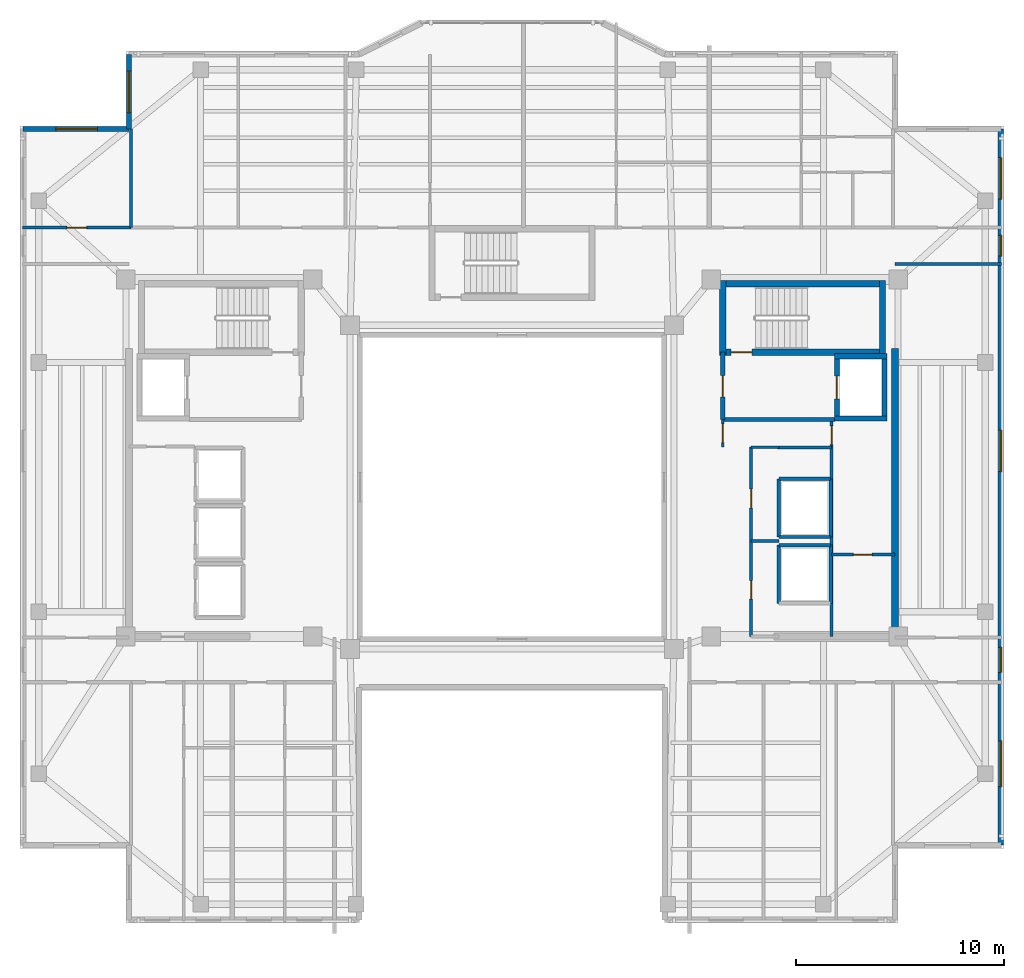
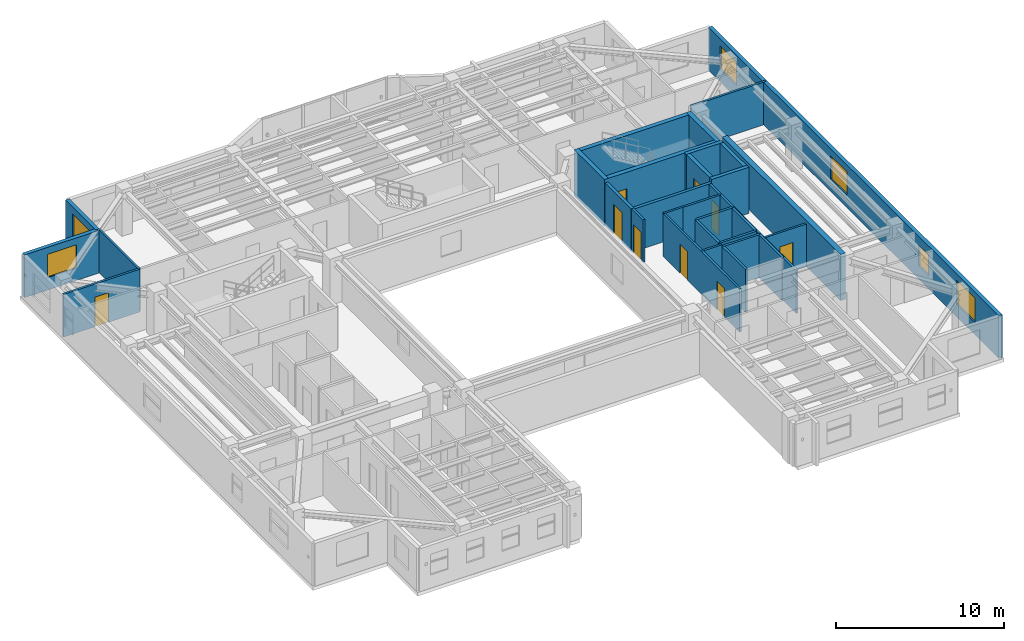
# One storey, part 6 of 11: 31 walls, 9 doors, 7 windows, 16 openings.
"""IFC4 building model written with IfcOpenShell, lengths in metres."""

from ifc_helpers import new_model, si_unit, direction, frame, frame_2d, origin, place, context, subcontext, project, spatial, rectangle, extrude, material, layer, layer_set, type_object, element, fill, save


model = new_model("IFC4")

# Units and contexts
model_context = context("Model", 3, precision=1e-05, world=origin(), true_north=direction((0.0, 1.0)))
body_context = subcontext(model_context, "Body", "Model", "MODEL_VIEW")
ifc_project = project(units=[si_unit("LENGTHUNIT", "METRE"), si_unit("AREAUNIT", "SQUARE_METRE"), si_unit("VOLUMEUNIT", "CUBIC_METRE"), si_unit("PLANEANGLEUNIT", "RADIAN"), si_unit("MASSUNIT", "GRAM", prefix="KILO")], contexts=[model_context])

# Site, building, storey
site_placement = place(None, origin())
site = spatial("IfcSite", under=ifc_project, at=site_placement, CompositionType="ELEMENT")
building_placement = place(site_placement, origin())
building = spatial("IfcBuilding", under=site, at=building_placement, Name="Tarnavaz Court Tower", CompositionType="ELEMENT")
storey_placement = place(building_placement, frame((0.0, 0.0, 217.050048828125)))
storey = spatial("IfcBuildingStorey", under=building, at=storey_placement, Name="L59", CompositionType="ELEMENT", Elevation=217.050048828125)

# Wall, opening, door
ifc_material_1 = material(Name="Concrete C50/60", Category="concrete")
ifc_layer_1 = layer(ifc_material_1, 0.25)
ifc_layer_set_1 = layer_set([ifc_layer_1], Name="Concrete C50/60")
wall_type_1 = type_object("IfcWallType", Name="WL-CORE-250-C50", PredefinedType="SHEAR", material=ifc_layer_set_1)
wall_1_placement = place(storey_placement, frame((15.64990234375, 3.175048828125, 0.0), z_axis=(0.0, 0.0, 1.0), x_axis=(0.0, 1.0, 0.0)))
wall_1 = element("IfcWall", 1, at=wall_1_placement, inside=storey, type_object=wall_type_1, Name="L59 Lift FL-E1 Shaft Wall 033", PredefinedType="SHEAR", context=body_context, shape_type="SweptSolid", body=[
    extrude(rectangle(XDim=3.25, YDim=0.25, at=frame_2d((1.625, 0.0))), origin(), (0.0, 0.0, 1.0), 3.349853515625),
])
opening_1_placement = place(wall_1_placement, frame((1.074951171875, 0.0, 0.0)))
opening_1 = element("IfcOpeningElement", 2, at=opening_1_placement, cuts=wall_1, Name="Opening LD1", PredefinedType="OPENING", context=body_context, shape_type="SweptSolid", body=[
    extrude(rectangle(XDim=1.10009765625, YDim=2.14990234375, at=frame_2d((0.550048828125, 1.074951171875))), frame((0.0, 0.135009765625, 0.0), z_axis=(0.0, -1.0, 0.0), x_axis=(1.0, 0.0, 0.0)), (0.0, 0.0, 1.0), 0.27001953125),
])
ifc_material_2 = material(Name="Stainless Steel", Category="steel")
door_type_1 = type_object("IfcDoorType", Name="DR-LD-1100", OperationType="NOTDEFINED", PredefinedType="DOOR", material=ifc_material_2)
door_1_placement = place(opening_1_placement, origin())
door_1 = element("IfcDoor", 3, at=door_1_placement, inside=storey, type_object=door_type_1, Name="L59 Lift Landing Door LD-FL-E1", OperationType="SLIDING_TO_LEFT", OverallHeight=2.14990234375, OverallWidth=1.10009765625, PredefinedType="DOOR", context=body_context, shape_type="SweptSolid", body=[
    extrude(rectangle(XDim=1.10009765625, YDim=2.14990234375, at=frame_2d((0.550048828125, 1.074951171875))), frame((0.0, 0.02490234375, 0.0), z_axis=(0.0, -1.0, 0.0), x_axis=(1.0, 0.0, 0.0)), (0.0, 0.0, 1.0), 0.050048828125),
])
fill(opening_1, door_1)

# Walls
wall_2_placement = place(storey_placement, frame((17.949951171875, 3.175048828125, 0.0), z_axis=(0.0, 0.0, 1.0), x_axis=(0.0, 1.0, 0.0)))
element("IfcWall", 4, at=wall_2_placement, inside=storey, type_object=wall_type_1, Name="L59 Lift FL-E1 Shaft Wall 034", PredefinedType="SHEAR", context=body_context, shape_type="SweptSolid", body=[
    extrude(rectangle(XDim=3.25, YDim=0.25, at=frame_2d((1.625, 0.0))), origin(), (0.0, 0.0, 1.0), 3.349853515625),
])
for number, where, z_axis, x_axis, name in (
    (5, (15.52490234375, 3.300048828125, 0.0), (0.0, 0.0, 1.0), (1.0, 0.0, 0.0), "L59 Lift FL-E1 Shaft Wall 035"),
    (6, (15.52490234375, 6.300048828125, 0.0), (0.0, 0.0, 1.0), (1.0, 0.0, 0.0), "L59 Lift FL-E1 Shaft Wall 036"),
):
    element("IfcWall", number, at=place(storey_placement, frame(where, z_axis=z_axis, x_axis=x_axis)), inside=storey, type_object=wall_type_1, Name=name, PredefinedType="SHEAR", context=body_context, shape_type="SweptSolid", body=[
        extrude(rectangle(XDim=2.550048828125, YDim=0.25, at=frame_2d((1.27490234375, 0.0))), origin(), (0.0, 0.0, 1.0), 3.349853515625),
    ])
ifc_layer_2 = layer(ifc_material_1, 0.300048828125)
ifc_layer_set_2 = layer_set([ifc_layer_2], Name="Concrete C50/60")
wall_type_2 = type_object("IfcWallType", Name="WL-CORE-300-C50", PredefinedType="SHEAR", material=ifc_layer_set_2)
wall_3_placement = place(storey_placement, frame((10.0, 9.7900390625, 0.0), z_axis=(0.0, 0.0, 1.0), x_axis=(1.0, 0.0, 0.0)))
element("IfcWall", 7, at=wall_3_placement, inside=storey, type_object=wall_type_2, Name="L59 East Stair Core Wall 005", PredefinedType="SHEAR", context=body_context, shape_type="SweptSolid", body=[
    extrude(rectangle(XDim=8.0, YDim=0.300048828125, at=frame_2d((4.0, 0.0))), origin(), (0.0, 0.0, 1.0), 3.349853515625),
])

# Wall, opening, door
wall_4_placement = place(storey_placement, frame((10.0, 6.5, 0.0), z_axis=(0.0, 0.0, 1.0), x_axis=(1.0, 0.0, 0.0)))
wall_4 = element("IfcWall", 8, at=wall_4_placement, inside=storey, type_object=wall_type_2, Name="L59 East Stair Core Wall 006", PredefinedType="SHEAR", context=body_context, shape_type="SweptSolid", body=[
    extrude(rectangle(XDim=8.0, YDim=0.300048828125, at=frame_2d((4.0, 0.0))), origin(), (0.0, 0.0, 1.0), 3.349853515625),
])
opening_2_placement = place(wall_4_placement, frame((0.550048828125, 0.0, 0.0)))
opening_2 = element("IfcOpeningElement", 9, at=opening_2_placement, cuts=wall_4, Name="Opening D01", PredefinedType="OPENING", context=body_context, shape_type="SweptSolid", body=[
    extrude(rectangle(XDim=1.0, YDim=2.14990234375, at=frame_2d((0.5, 1.074951171875))), frame((0.0, 0.159912109375, 0.0), z_axis=(0.0, -1.0, 0.0), x_axis=(1.0, 0.0, 0.0)), (0.0, 0.0, 1.0), 0.320068359375),
])
ifc_material_3 = material(Name="Fire-Rated Hardwood Timber Core", Category="wood")
door_type_2 = type_object("IfcDoorType", Name="DR-FD90-1000", OperationType="NOTDEFINED", PredefinedType="DOOR", material=ifc_material_3)
door_2_placement = place(opening_2_placement, origin())
door_2 = element("IfcDoor", 10, at=door_2_placement, inside=storey, type_object=door_type_2, Name="L59 Stair ST-E1 Exit Door", OperationType="SINGLE_SWING_RIGHT", OverallHeight=2.14990234375, OverallWidth=1.0, PredefinedType="DOOR", context=body_context, shape_type="SweptSolid", body=[
    extrude(rectangle(XDim=1.0, YDim=2.14990234375, at=frame_2d((0.5, 1.074951171875))), frame((0.0, 0.02490234375, 0.0), z_axis=(0.0, -1.0, 0.0), x_axis=(1.0, 0.0, 0.0)), (0.0, 0.0, 1.0), 0.050048828125),
])
fill(opening_2, door_2)

# Walls
for number, where, z_axis, x_axis, name in (
    (11, (10.14990234375, 6.35009765625, 0.0), (0.0, 0.0, 1.0), (0.0, 1.0, 0.0), "L59 East Stair Core Wall 007"),
    (12, (17.85009765625, 6.35009765625, 0.0), (0.0, 0.0, 1.0), (0.0, 1.0, 0.0), "L59 East Stair Core Wall 008"),
):
    element("IfcWall", number, at=place(storey_placement, frame(where, z_axis=z_axis, x_axis=x_axis)), inside=storey, type_object=wall_type_2, Name=name, PredefinedType="SHEAR", context=body_context, shape_type="SweptSolid", body=[
        extrude(rectangle(XDim=3.58984375, YDim=0.300048828125, at=frame_2d((1.794921875, 0.0))), origin(), (0.0, 0.0, 1.0), 3.349853515625),
    ])
ifc_layer_3 = layer(ifc_material_1, 0.35009765625)
ifc_layer_set_3 = layer_set([ifc_layer_3], Name="Concrete C50/60")
wall_type_3 = type_object("IfcWallType", Name="WL-CORE-350-C50", PredefinedType="SHEAR", material=ifc_layer_set_3)
wall_5_placement = place(storey_placement, frame((18.449951171875, -7.375, 0.0), z_axis=(0.0, 0.0, 1.0), x_axis=(0.0, 1.0, 0.0)))
element("IfcWall", 13, at=wall_5_placement, inside=storey, type_object=wall_type_3, Name="L59 East Core Shear Wall 047", PredefinedType="SHEAR", context=body_context, shape_type="SweptSolid", body=[
    extrude(rectangle(XDim=14.050048828125, YDim=0.35009765625, at=frame_2d((7.02490234375, 0.0))), origin(), (0.0, 0.0, 1.0), 3.349853515625),
])

# Wall, opening, window
ifc_material_4 = material(Name="Precast Concrete C40/50", Category="concrete")
ifc_layer_4 = layer(ifc_material_4, 0.260009765625)
ifc_layer_set_4 = layer_set([ifc_layer_4], Name="Precast Concrete C40/50")
wall_type_4 = type_object("IfcWallType", Name="WL-EXT-260", PredefinedType="SOLIDWALL", material=ifc_layer_set_4)
wall_6_placement = place(storey_placement, frame((-23.550048828125, 17.25, 0.0), z_axis=(0.0, 0.0, 1.0), x_axis=(1.0, 0.0, 0.0)))
wall_6 = element("IfcWall", 14, at=wall_6_placement, inside=storey, type_object=wall_type_4, Name="L59 Exterior Terracotta Facade Wall 03", PredefinedType="SOLIDWALL", context=body_context, shape_type="SweptSolid", body=[
    extrude(rectangle(XDim=5.10009765625, YDim=0.260009765625, at=frame_2d((2.550048828125, 0.0))), origin(), (0.0, 0.0, 1.0), 3.099853515625),
])
opening_3_placement = place(wall_6_placement, frame((1.574951171875, 0.0, 0.89990234375)))
opening_3 = element("IfcOpeningElement", 15, at=opening_3_placement, cuts=wall_6, Name="Opening W08", PredefinedType="OPENING", context=body_context, shape_type="SweptSolid", body=[
    extrude(rectangle(XDim=2.0, YDim=1.699951171875, at=frame_2d((1.0, 0.85009765625))), frame((0.0, 0.139892578125, 0.0), z_axis=(0.0, -1.0, 0.0), x_axis=(1.0, 0.0, 0.0)), (0.0, 0.0, 1.0), 0.280029296875),
])
ifc_material_5 = material(Name="Double-Glazed Solar Low-E Glass", Category="glass")
window_type_1 = type_object("IfcWindowType", Name="WN-APT-2000", PartitioningType="DOUBLE_PANEL_VERTICAL", PredefinedType="WINDOW", material=ifc_material_5)
window_1_placement = place(opening_3_placement, origin())
window_1 = element("IfcWindow", 16, at=window_1_placement, inside=storey, type_object=window_type_1, Name="L59 North-West Corner Sunroom Study Window", OverallHeight=1.699951171875, OverallWidth=2.0, PartitioningType="SINGLE_PANEL", PredefinedType="WINDOW", context=body_context, shape_type="SweptSolid", body=[
    extrude(rectangle(XDim=2.0, YDim=1.699951171875, at=frame_2d((1.0, 0.85009765625))), frame((0.0, 0.030029296875, 0.0), z_axis=(0.0, -1.0, 0.0), x_axis=(1.0, 0.0, 0.0)), (0.0, 0.0, 1.0), 0.06005859375),
])
fill(opening_3, window_1)

wall_7_placement = place(storey_placement, frame((-18.449951171875, 17.25, 0.0), z_axis=(0.0, 0.0, 1.0), x_axis=(0.0, 1.0, 0.0)))
wall_7 = element("IfcWall", 17, at=wall_7_placement, inside=storey, type_object=wall_type_4, Name="L59 Exterior Terracotta Facade Wall 04", PredefinedType="SOLIDWALL", context=body_context, shape_type="SweptSolid", body=[
    extrude(rectangle(XDim=3.60009765625, YDim=0.260009765625, at=frame_2d((1.800048828125, 0.0))), origin(), (0.0, 0.0, 1.0), 3.099853515625),
])
opening_4_placement = place(wall_7_placement, frame((0.782470703125, 0.0, 0.89990234375)))
opening_4 = element("IfcOpeningElement", 18, at=opening_4_placement, cuts=wall_7, Name="Opening W08", PredefinedType="OPENING", context=body_context, shape_type="SweptSolid", body=[
    extrude(rectangle(XDim=2.0, YDim=1.699951171875, at=frame_2d((1.0, 0.85009765625))), frame((0.0, 0.139892578125, 0.0), z_axis=(0.0, -1.0, 0.0), x_axis=(1.0, 0.0, 0.0)), (0.0, 0.0, 1.0), 0.280029296875),
])
window_2_placement = place(opening_4_placement, origin())
window_2 = element("IfcWindow", 19, at=window_2_placement, inside=storey, type_object=window_type_1, Name="L59 Resident Community Meeting Room Window", OverallHeight=1.699951171875, OverallWidth=2.0, PartitioningType="SINGLE_PANEL", PredefinedType="WINDOW", context=body_context, shape_type="SweptSolid", body=[
    extrude(rectangle(XDim=2.0, YDim=1.699951171875, at=frame_2d((1.0, 0.85009765625))), frame((0.0, 0.030029296875, 0.0), z_axis=(0.0, -1.0, 0.0), x_axis=(1.0, 0.0, 0.0)), (0.0, 0.0, 1.0), 0.06005859375),
])
fill(opening_4, window_2)

# Wall, openings, windows
wall_8_placement = place(storey_placement, frame((23.550048828125, 17.25, 0.0), z_axis=(0.0, 0.0, 1.0), x_axis=(0.0, -1.0, 0.0)))
wall_8 = element("IfcWall", 20, at=wall_8_placement, inside=storey, type_object=wall_type_4, Name="L59 Exterior Terracotta Facade Wall 12", PredefinedType="SOLIDWALL", context=body_context, shape_type="SweptSolid", body=[
    extrude(rectangle(XDim=34.5, YDim=0.260009765625, at=frame_2d((17.25, 0.0))), origin(), (0.0, 0.0, 1.0), 3.099853515625),
])
opening_5_placement = place(wall_8_placement, frame((1.375, 0.0, 0.89990234375)))
opening_5 = element("IfcOpeningElement", 21, at=opening_5_placement, cuts=wall_8, Name="Opening W08", PredefinedType="OPENING", context=body_context, shape_type="SweptSolid", body=[
    extrude(rectangle(XDim=2.0, YDim=1.699951171875, at=frame_2d((1.0, 0.85009765625))), frame((0.0, 0.139892578125, 0.0), z_axis=(0.0, -1.0, 0.0), x_axis=(1.0, 0.0, 0.0)), (0.0, 0.0, 1.0), 0.280029296875),
])
opening_6_placement = place(wall_8_placement, frame((5.125, 0.0, 0.949951171875)))
opening_6 = element("IfcOpeningElement", 22, at=opening_6_placement, cuts=wall_8, Name="Opening W14", PredefinedType="OPENING", context=body_context, shape_type="SweptSolid", body=[
    extrude(rectangle(XDim=1.0, YDim=1.5, at=frame_2d((0.5, 0.75))), frame((0.0, 0.139892578125, 0.0), z_axis=(0.0, -1.0, 0.0), x_axis=(1.0, 0.0, 0.0)), (0.0, 0.0, 1.0), 0.280029296875),
])
opening_7_placement = place(wall_8_placement, frame((14.5, 0.0, 0.89990234375)))
opening_7 = element("IfcOpeningElement", 23, at=opening_7_placement, cuts=wall_8, Name="Opening W08", PredefinedType="OPENING", context=body_context, shape_type="SweptSolid", body=[
    extrude(rectangle(XDim=2.0, YDim=1.699951171875, at=frame_2d((1.0, 0.85009765625))), frame((0.0, 0.139892578125, 0.0), z_axis=(0.0, -1.0, 0.0), x_axis=(1.0, 0.0, 0.0)), (0.0, 0.0, 1.0), 0.280029296875),
])
opening_8_placement = place(wall_8_placement, frame((24.97509765625, 0.0, 0.949951171875)))
opening_8 = element("IfcOpeningElement", 24, at=opening_8_placement, cuts=wall_8, Name="Opening W05", PredefinedType="OPENING", context=body_context, shape_type="SweptSolid", body=[
    extrude(rectangle(XDim=1.199951171875, YDim=1.5, at=frame_2d((0.60009765625, 0.75))), frame((0.0, 0.139892578125, 0.0), z_axis=(0.0, -1.0, 0.0), x_axis=(1.0, 0.0, 0.0)), (0.0, 0.0, 1.0), 0.280029296875),
])
opening_9_placement = place(wall_8_placement, frame((29.47509765625, 0.0, 0.89990234375)))
opening_9 = element("IfcOpeningElement", 25, at=opening_9_placement, cuts=wall_8, Name="Opening W07", PredefinedType="OPENING", context=body_context, shape_type="SweptSolid", body=[
    extrude(rectangle(XDim=2.199951171875, YDim=1.75, at=frame_2d((1.10009765625, 0.875))), frame((0.0, 0.139892578125, 0.0), z_axis=(0.0, -1.0, 0.0), x_axis=(1.0, 0.0, 0.0)), (0.0, 0.0, 1.0), 0.280029296875),
])
window_type_2 = type_object("IfcWindowType", Name="WN-APT-1000", PartitioningType="SINGLE_PANEL", PredefinedType="WINDOW", material=ifc_material_5)
window_3_placement = place(opening_6_placement, origin())
window_3 = element("IfcWindow", 26, at=window_3_placement, inside=storey, type_object=window_type_2, Name="L59 North-East Corner Corridor Window", OverallHeight=1.5, OverallWidth=1.0, PartitioningType="SINGLE_PANEL", PredefinedType="WINDOW", context=body_context, shape_type="SweptSolid", body=[
    extrude(rectangle(XDim=1.0, YDim=1.5, at=frame_2d((0.5, 0.75))), frame((0.0, 0.030029296875, 0.0), z_axis=(0.0, -1.0, 0.0), x_axis=(1.0, 0.0, 0.0)), (0.0, 0.0, 1.0), 0.06005859375),
])
fill(opening_6, window_3)
window_type_3 = type_object("IfcWindowType", Name="WN-APT-1200", PartitioningType="SINGLE_PANEL", PredefinedType="WINDOW", material=ifc_material_5)
window_4_placement = place(opening_8_placement, origin())
window_4 = element("IfcWindow", 27, at=window_4_placement, inside=storey, type_object=window_type_3, Name="L59 South-East Corner Corridor Window", OverallHeight=1.5, OverallWidth=1.199951171875, PartitioningType="SINGLE_PANEL", PredefinedType="WINDOW", context=body_context, shape_type="SweptSolid", body=[
    extrude(rectangle(XDim=1.199951171875, YDim=1.5, at=frame_2d((0.60009765625, 0.75))), frame((0.0, 0.030029296875, 0.0), z_axis=(0.0, -1.0, 0.0), x_axis=(1.0, 0.0, 0.0)), (0.0, 0.0, 1.0), 0.06005859375),
])
fill(opening_8, window_4)
window_5_placement = place(opening_5_placement, origin())
window_5 = element("IfcWindow", 28, at=window_5_placement, inside=storey, type_object=window_type_1, Name="L59 North-East Corner Sunroom Study Window", OverallHeight=1.699951171875, OverallWidth=2.0, PartitioningType="SINGLE_PANEL", PredefinedType="WINDOW", context=body_context, shape_type="SweptSolid", body=[
    extrude(rectangle(XDim=2.0, YDim=1.699951171875, at=frame_2d((1.0, 0.85009765625))), frame((0.0, 0.030029296875, 0.0), z_axis=(0.0, -1.0, 0.0), x_axis=(1.0, 0.0, 0.0)), (0.0, 0.0, 1.0), 0.06005859375),
])
fill(opening_5, window_5)
window_6_placement = place(opening_7_placement, origin())
window_6 = element("IfcWindow", 29, at=window_6_placement, inside=storey, type_object=window_type_1, Name="L59 East Wing Daycare Playroom Window", OverallHeight=1.699951171875, OverallWidth=2.0, PartitioningType="SINGLE_PANEL", PredefinedType="WINDOW", context=body_context, shape_type="SweptSolid", body=[
    extrude(rectangle(XDim=2.0, YDim=1.699951171875, at=frame_2d((1.0, 0.85009765625))), frame((0.0, 0.030029296875, 0.0), z_axis=(0.0, -1.0, 0.0), x_axis=(1.0, 0.0, 0.0)), (0.0, 0.0, 1.0), 0.06005859375),
])
fill(opening_7, window_6)
window_type_4 = type_object("IfcWindowType", Name="WN-APT-2200", PartitioningType="TRIPLE_PANEL_VERTICAL", PredefinedType="WINDOW", material=ifc_material_5)
window_7_placement = place(opening_9_placement, origin())
window_7 = element("IfcWindow", 30, at=window_7_placement, inside=storey, type_object=window_type_4, Name="L59 South-East Corner Reading Room Window", OverallHeight=1.75, OverallWidth=2.199951171875, PartitioningType="SINGLE_PANEL", PredefinedType="WINDOW", context=body_context, shape_type="SweptSolid", body=[
    extrude(rectangle(XDim=2.199951171875, YDim=1.75, at=frame_2d((1.10009765625, 0.875))), frame((0.0, 0.030029296875, 0.0), z_axis=(0.0, -1.0, 0.0), x_axis=(1.0, 0.0, 0.0)), (0.0, 0.0, 1.0), 0.06005859375),
])
fill(opening_9, window_7)

# Wall
ifc_material_6 = material(Name="Gypsum Fire-Board on Acoustic Metal Stud", Category="masonry")
ifc_layer_5 = layer(ifc_material_6, 0.14990234375)
ifc_layer_set_5 = layer_set([ifc_layer_5], Name="Gypsum Fire-Board on Acoustic Metal Stud")
wall_type_5 = type_object("IfcWallType", Name="WL-FIRE-150", PredefinedType="PARTITIONING", material=ifc_layer_set_5)
wall_9_placement = place(storey_placement, frame((18.449951171875, 10.75, 0.0), z_axis=(0.0, 0.0, 1.0), x_axis=(1.0, 0.0, 0.0)))
element("IfcWall", 31, at=wall_9_placement, inside=storey, type_object=wall_type_5, Name="L59 Interior Partition 091", PredefinedType="PARTITIONING", context=body_context, shape_type="SweptSolid", body=[
    extrude(rectangle(XDim=5.130126953125, YDim=0.14990234375, at=frame_2d((2.56494140625, 0.0))), origin(), (0.0, 0.0, 1.0), 3.099853515625),
])

# Wall, opening, door
wall_10_placement = place(storey_placement, frame((-23.580078125, 12.5, 0.0), z_axis=(0.0, 0.0, 1.0), x_axis=(1.0, 0.0, 0.0)))
wall_10 = element("IfcWall", 32, at=wall_10_placement, inside=storey, type_object=wall_type_5, Name="L59 Interior Partition 096", PredefinedType="PARTITIONING", context=body_context, shape_type="SweptSolid", body=[
    extrude(rectangle(XDim=5.22998046875, YDim=0.14990234375, at=frame_2d((2.614990234375, 0.0))), origin(), (0.0, 0.0, 1.0), 3.099853515625),
])
opening_10_placement = place(wall_10_placement, frame((2.139892578125, 0.0, 0.0)))
opening_10 = element("IfcOpeningElement", 33, at=opening_10_placement, cuts=wall_10, Name="Opening D13", PredefinedType="OPENING", context=body_context, shape_type="SweptSolid", body=[
    extrude(rectangle(XDim=0.949951171875, YDim=2.14990234375, at=frame_2d((0.47509765625, 1.074951171875))), frame((0.0, 0.0849609375, 0.0), z_axis=(0.0, -1.0, 0.0), x_axis=(1.0, 0.0, 0.0)), (0.0, 0.0, 1.0), 0.169921875),
])
ifc_material_7 = material(Name="Engineered Oak Timber", Category="wood")
door_type_3 = type_object("IfcDoorType", Name="DR-INT-950", OperationType="NOTDEFINED", PredefinedType="DOOR", material=ifc_material_7)
door_3_placement = place(opening_10_placement, origin())
door_3 = element("IfcDoor", 34, at=door_3_placement, inside=storey, type_object=door_type_3, Name="L59 NW Sunroom Door", OperationType="SINGLE_SWING_LEFT", OverallHeight=2.14990234375, OverallWidth=0.949951171875, PredefinedType="DOOR", context=body_context, shape_type="SweptSolid", body=[
    extrude(rectangle(XDim=0.949951171875, YDim=2.14990234375, at=frame_2d((0.47509765625, 1.074951171875))), frame((0.0, 0.02490234375, 0.0), z_axis=(0.0, -1.0, 0.0), x_axis=(1.0, 0.0, 0.0)), (0.0, 0.0, 1.0), 0.050048828125),
])
fill(opening_10, door_3)

# Wall
ifc_material_8 = material(Name="Autoclaved Aerated Concrete Blockwork", Category="masonry")
ifc_layer_6 = layer(ifc_material_8, 0.199951171875)
ifc_layer_set_6 = layer_set([ifc_layer_6], Name="Autoclaved Aerated Concrete Blockwork")
wall_type_6 = type_object("IfcWallType", Name="WL-FIRE-200", PredefinedType="SOLIDWALL", material=ifc_layer_set_6)
wall_11_placement = place(storey_placement, frame((10.14990234375, 3.25, 0.0), z_axis=(0.0, 0.0, 1.0), x_axis=(1.0, 0.0, 0.0)))
element("IfcWall", 35, at=wall_11_placement, inside=storey, type_object=wall_type_6, Name="L59 East Firefighting Lobby Wall 015", PredefinedType="SOLIDWALL", context=body_context, shape_type="SweptSolid", body=[
    extrude(rectangle(XDim=5.400146484375, YDim=0.199951171875, at=frame_2d((2.7001953125, 0.0))), origin(), (0.0, 0.0, 1.0), 3.099853515625),
])

# Wall, opening, door
wall_12_placement = place(storey_placement, frame((10.14990234375, 3.25, 0.0), z_axis=(0.0, 0.0, 1.0), x_axis=(0.0, 1.0, 0.0)))
wall_12 = element("IfcWall", 36, at=wall_12_placement, inside=storey, type_object=wall_type_6, Name="L59 East Firefighting Lobby Wall 016", PredefinedType="SOLIDWALL", context=body_context, shape_type="SweptSolid", body=[
    extrude(rectangle(XDim=3.25, YDim=0.199951171875, at=frame_2d((1.625, 0.0))), origin(), (0.0, 0.0, 1.0), 3.099853515625),
])
opening_11_placement = place(wall_12_placement, frame((1.10009765625, 0.0, 0.0)))
opening_11 = element("IfcOpeningElement", 37, at=opening_11_placement, cuts=wall_12, Name="Opening D05", PredefinedType="OPENING", context=body_context, shape_type="SweptSolid", body=[
    extrude(rectangle(XDim=1.02001953125, YDim=2.14990234375, at=frame_2d((0.510009765625, 1.074951171875))), frame((0.0, 0.10986328125, 0.0), z_axis=(0.0, -1.0, 0.0), x_axis=(1.0, 0.0, 0.0)), (0.0, 0.0, 1.0), 0.219970703125),
])
door_type_4 = type_object("IfcDoorType", Name="DR-FD60-1000", OperationType="NOTDEFINED", PredefinedType="DOOR", material=ifc_material_3)
door_4_placement = place(opening_11_placement, origin())
door_4 = element("IfcDoor", 38, at=door_4_placement, inside=storey, type_object=door_type_4, Name="L59 East Firefighting Lobby Door", OperationType="SINGLE_SWING_LEFT", OverallHeight=2.14990234375, OverallWidth=1.02001953125, PredefinedType="DOOR", context=body_context, shape_type="SweptSolid", body=[
    extrude(rectangle(XDim=1.02001953125, YDim=2.14990234375, at=frame_2d((0.510009765625, 1.074951171875))), frame((0.0, 0.02490234375, 0.0), z_axis=(0.0, -1.0, 0.0), x_axis=(1.0, 0.0, 0.0)), (0.0, 0.0, 1.0), 0.050048828125),
])
fill(opening_11, door_4)

# Wall
ifc_material_9 = material(Name="Gypsum Plasterboard Acoustic Partition", Category="masonry")
ifc_layer_7 = layer(ifc_material_9, 0.139892578125)
ifc_layer_set_7 = layer_set([ifc_layer_7], Name="Gypsum Plasterboard Acoustic Partition")
wall_type_7 = type_object("IfcWallType", Name="WL-PART-150", PredefinedType="PARTITIONING", material=ifc_layer_set_7)
wall_13_placement = place(storey_placement, frame((12.800048828125, 1.89990234375, 0.0), z_axis=(0.0, 0.0, 1.0), x_axis=(1.0, 0.0, 0.0)))
element("IfcWall", 39, at=wall_13_placement, inside=storey, type_object=wall_type_7, Name="L59 Interior Partition 050", PredefinedType="PARTITIONING", context=body_context, shape_type="SweptSolid", body=[
    extrude(rectangle(XDim=2.599853515625, YDim=0.139892578125, at=frame_2d((1.2998046875, 0.0))), origin(), (0.0, 0.0, 1.0), 3.099853515625),
])

# Wall, opening, door
wall_14_placement = place(storey_placement, frame((10.14990234375, 1.919921875, 0.0), z_axis=(0.0, 0.0, 1.0), x_axis=(0.0, 1.0, 0.0)))
wall_14 = element("IfcWall", 40, at=wall_14_placement, inside=storey, type_object=wall_type_7, Name="L59 Interior Partition 051", PredefinedType="PARTITIONING", context=body_context, shape_type="SweptSolid", body=[
    extrude(rectangle(XDim=1.330078125, YDim=0.139892578125, at=frame_2d((0.6650390625, 0.0))), origin(), (0.0, 0.0, 1.0), 3.099853515625),
])
opening_12_placement = place(wall_14_placement, frame((0.219970703125, 0.0, 0.0)))
opening_12 = element("IfcOpeningElement", 41, at=opening_12_placement, cuts=wall_14, Name="Opening D09", PredefinedType="OPENING", context=body_context, shape_type="SweptSolid", body=[
    extrude(rectangle(XDim=0.89990234375, YDim=2.080078125, at=frame_2d((0.449951171875, 1.0400390625))), frame((0.0, 0.079833984375, 0.0), z_axis=(0.0, -1.0, 0.0), x_axis=(1.0, 0.0, 0.0)), (0.0, 0.0, 1.0), 0.159912109375),
])
door_type_5 = type_object("IfcDoorType", Name="DR-FD30-900", OperationType="NOTDEFINED", PredefinedType="DOOR", material=ifc_material_3)
door_5_placement = place(opening_12_placement, origin())
door_5 = element("IfcDoor", 42, at=door_5_placement, inside=storey, type_object=door_type_5, Name="L59 East Core Service Lobby Door", OperationType="SINGLE_SWING_LEFT", OverallHeight=2.080078125, OverallWidth=0.89990234375, PredefinedType="DOOR", context=body_context, shape_type="SweptSolid", body=[
    extrude(rectangle(XDim=0.89990234375, YDim=2.080078125, at=frame_2d((0.449951171875, 1.0400390625))), frame((0.0, 0.02490234375, 0.0), z_axis=(0.0, -1.0, 0.0), x_axis=(1.0, 0.0, 0.0)), (0.0, 0.0, 1.0), 0.050048828125),
])
fill(opening_12, door_5)

wall_15_placement = place(storey_placement, frame((15.39990234375, -7.199951171875, 0.0), z_axis=(0.0, 0.0, 1.0), x_axis=(0.0, 1.0, 0.0)))
wall_15 = element("IfcWall", 43, at=wall_15_placement, inside=storey, type_object=wall_type_7, Name="L59 Interior Partition 052", PredefinedType="PARTITIONING", context=body_context, shape_type="SweptSolid", body=[
    extrude(rectangle(XDim=10.449951171875, YDim=0.139892578125, at=frame_2d((5.22509765625, 0.0))), origin(), (0.0, 0.0, 1.0), 3.099853515625),
])
opening_13_placement = place(wall_15_placement, frame((9.25, 0.0, 0.0)))
opening_13 = element("IfcOpeningElement", 44, at=opening_13_placement, cuts=wall_15, Name="Opening D09", PredefinedType="OPENING", context=body_context, shape_type="SweptSolid", body=[
    extrude(rectangle(XDim=0.89990234375, YDim=2.080078125, at=frame_2d((0.449951171875, 1.0400390625))), frame((0.0, 0.079833984375, 0.0), z_axis=(0.0, -1.0, 0.0), x_axis=(1.0, 0.0, 0.0)), (0.0, 0.0, 1.0), 0.159912109375),
])
door_6_placement = place(opening_13_placement, origin())
door_6 = element("IfcDoor", 45, at=door_6_placement, inside=storey, type_object=door_type_5, Name="L59 East Wet Riser Door", OperationType="SINGLE_SWING_RIGHT", OverallHeight=2.080078125, OverallWidth=0.89990234375, PredefinedType="DOOR", context=body_context, shape_type="SweptSolid", body=[
    extrude(rectangle(XDim=0.89990234375, YDim=2.080078125, at=frame_2d((0.449951171875, 1.0400390625))), frame((0.0, 0.02490234375, 0.0), z_axis=(0.0, -1.0, 0.0), x_axis=(1.0, 0.0, 0.0)), (0.0, 0.0, 1.0), 0.050048828125),
])
fill(opening_13, door_6)

wall_16_placement = place(storey_placement, frame((15.39990234375, -3.25, 0.0), z_axis=(0.0, 0.0, 1.0), x_axis=(1.0, 0.0, 0.0)))
wall_16 = element("IfcWall", 46, at=wall_16_placement, inside=storey, type_object=wall_type_7, Name="L59 Interior Partition 053", PredefinedType="PARTITIONING", context=body_context, shape_type="SweptSolid", body=[
    extrude(rectangle(XDim=3.050048828125, YDim=0.139892578125, at=frame_2d((1.52490234375, 0.0))), origin(), (0.0, 0.0, 1.0), 3.099853515625),
])
opening_14_placement = place(wall_16_placement, frame((1.050048828125, 0.0, 0.0)))
opening_14 = element("IfcOpeningElement", 47, at=opening_14_placement, cuts=wall_16, Name="Opening D09", PredefinedType="OPENING", context=body_context, shape_type="SweptSolid", body=[
    extrude(rectangle(XDim=0.89990234375, YDim=2.080078125, at=frame_2d((0.449951171875, 1.0400390625))), frame((0.0, 0.079833984375, 0.0), z_axis=(0.0, -1.0, 0.0), x_axis=(1.0, 0.0, 0.0)), (0.0, 0.0, 1.0), 0.159912109375),
])
door_7_placement = place(opening_14_placement, origin())
door_7 = element("IfcDoor", 48, at=door_7_placement, inside=storey, type_object=door_type_5, Name="L59 East Electrical Plant Door", OperationType="SINGLE_SWING_LEFT", OverallHeight=2.080078125, OverallWidth=0.89990234375, PredefinedType="DOOR", context=body_context, shape_type="SweptSolid", body=[
    extrude(rectangle(XDim=0.89990234375, YDim=2.080078125, at=frame_2d((0.449951171875, 1.0400390625))), frame((0.0, 0.02490234375, 0.0), z_axis=(0.0, -1.0, 0.0), x_axis=(1.0, 0.0, 0.0)), (0.0, 0.0, 1.0), 0.050048828125),
])
fill(opening_14, door_7)

# Wall, openings, doors
wall_17_placement = place(storey_placement, frame((11.52001953125, -7.199951171875, 0.0), z_axis=(0.0, 0.0, 1.0), x_axis=(0.0, 1.0, 0.0)))
wall_17 = element("IfcWall", 49, at=wall_17_placement, inside=storey, type_object=wall_type_7, Name="L59 Interior Partition 054", PredefinedType="PARTITIONING", context=body_context, shape_type="SweptSolid", body=[
    extrude(rectangle(XDim=9.119873046875, YDim=0.139892578125, at=frame_2d((4.56005859375, 0.0))), origin(), (0.0, 0.0, 1.0), 3.099853515625),
])
opening_15_placement = place(wall_17_placement, frame((1.800048828125, 0.0, 0.0)))
opening_15 = element("IfcOpeningElement", 50, at=opening_15_placement, cuts=wall_17, Name="Opening D09", PredefinedType="OPENING", context=body_context, shape_type="SweptSolid", body=[
    extrude(rectangle(XDim=0.89990234375, YDim=2.080078125, at=frame_2d((0.449951171875, 1.0400390625))), frame((0.0, 0.079833984375, 0.0), z_axis=(0.0, -1.0, 0.0), x_axis=(1.0, 0.0, 0.0)), (0.0, 0.0, 1.0), 0.159912109375),
])
opening_16_placement = place(wall_17_placement, frame((6.199951171875, 0.0, 0.0)))
opening_16 = element("IfcOpeningElement", 51, at=opening_16_placement, cuts=wall_17, Name="Opening D09", PredefinedType="OPENING", context=body_context, shape_type="SweptSolid", body=[
    extrude(rectangle(XDim=0.89990234375, YDim=2.080078125, at=frame_2d((0.449951171875, 1.0400390625))), frame((0.0, 0.079833984375, 0.0), z_axis=(0.0, -1.0, 0.0), x_axis=(1.0, 0.0, 0.0)), (0.0, 0.0, 1.0), 0.159912109375),
])
door_8_placement = place(opening_15_placement, origin())
door_8 = element("IfcDoor", 52, at=door_8_placement, inside=storey, type_object=door_type_5, Name="L59 East Sky Housekeeping Door", OperationType="SINGLE_SWING_RIGHT", OverallHeight=2.080078125, OverallWidth=0.89990234375, PredefinedType="DOOR", context=body_context, shape_type="SweptSolid", body=[
    extrude(rectangle(XDim=0.89990234375, YDim=2.080078125, at=frame_2d((0.449951171875, 1.0400390625))), frame((0.0, 0.02490234375, 0.0), z_axis=(0.0, -1.0, 0.0), x_axis=(1.0, 0.0, 0.0)), (0.0, 0.0, 1.0), 0.050048828125),
])
fill(opening_15, door_8)
door_9_placement = place(opening_16_placement, origin())
door_9 = element("IfcDoor", 53, at=door_9_placement, inside=storey, type_object=door_type_5, Name="L59 East Sky Meter Room Door", OperationType="SINGLE_SWING_LEFT", OverallHeight=2.080078125, OverallWidth=0.89990234375, PredefinedType="DOOR", context=body_context, shape_type="SweptSolid", body=[
    extrude(rectangle(XDim=0.89990234375, YDim=2.080078125, at=frame_2d((0.449951171875, 1.0400390625))), frame((0.0, 0.02490234375, 0.0), z_axis=(0.0, -1.0, 0.0), x_axis=(1.0, 0.0, 0.0)), (0.0, 0.0, 1.0), 0.050048828125),
])
fill(opening_16, door_9)

# Walls
for number, where, z_axis, x_axis, name in (
    (54, (11.52001953125, 1.919921875, 0.0), (0.0, 0.0, 1.0), (1.0, 0.0, 0.0), "L59 Interior Partition 055"),
    (55, (11.52001953125, -2.60009765625, 0.0), (0.0, 0.0, 1.0), (1.0, 0.0, 0.0), "L59 Interior Partition 057"),
):
    element("IfcWall", number, at=place(storey_placement, frame(where, z_axis=z_axis, x_axis=x_axis)), inside=storey, type_object=wall_type_7, Name=name, PredefinedType="PARTITIONING", context=body_context, shape_type="SweptSolid", body=[
        extrude(rectangle(XDim=1.330078125, YDim=0.139892578125, at=frame_2d((0.6650390625, 0.0))), origin(), (0.0, 0.0, 1.0), 3.099853515625),
    ])
wall_18_placement = place(storey_placement, frame((-18.35009765625, 12.5, 0.0), z_axis=(0.0, 0.0, 1.0), x_axis=(0.0, 1.0, 0.0)))
element("IfcWall", 56, at=wall_18_placement, inside=storey, type_object=wall_type_7, Name="L59 Interior Partition 094", PredefinedType="PARTITIONING", context=body_context, shape_type="SweptSolid", body=[
    extrude(rectangle(XDim=4.75, YDim=0.139892578125, at=frame_2d((2.375, 0.0))), origin(), (0.0, 0.0, 1.0), 3.099853515625),
])
ifc_layer_8 = layer(ifc_material_8, 0.159912109375)
ifc_layer_set_8 = layer_set([ifc_layer_8], Name="Autoclaved Aerated Concrete Blockwork")
wall_type_8 = type_object("IfcWallType", Name="WL-SHAFT-150", PredefinedType="SOLIDWALL", material=ifc_layer_set_8)
for number, where, z_axis, x_axis, name in (
    (57, (12.85009765625, -5.60009765625, 0.0), (0.0, 0.0, 1.0), (0.0, 1.0, 0.0), "L59 Lift PL-OB1 Shaft Wall 037"),
    (58, (15.35009765625, -5.60009765625, 0.0), (0.0, 0.0, 1.0), (0.0, 1.0, 0.0), "L59 Lift PL-OB1 Shaft Wall 038"),
):
    element("IfcWall", number, at=place(storey_placement, frame(where, z_axis=z_axis, x_axis=x_axis)), inside=storey, type_object=wall_type_8, Name=name, PredefinedType="SOLIDWALL", context=body_context, shape_type="SweptSolid", body=[
        extrude(rectangle(XDim=2.800048828125, YDim=0.159912109375, at=frame_2d((1.39990234375, 0.0))), origin(), (0.0, 0.0, 1.0), 3.099853515625),
    ])
wall_19_placement = place(storey_placement, frame((12.85009765625, -2.800048828125, 0.0), z_axis=(0.0, 0.0, 1.0), x_axis=(1.0, 0.0, 0.0)))
element("IfcWall", 59, at=wall_19_placement, inside=storey, type_object=wall_type_8, Name="L59 Lift PL-OB1 Shaft Wall 040", PredefinedType="SOLIDWALL", context=body_context, shape_type="SweptSolid", body=[
    extrude(rectangle(XDim=2.5, YDim=0.159912109375, at=frame_2d((1.25, 0.0))), origin(), (0.0, 0.0, 1.0), 3.099853515625),
])
for number, where, z_axis, x_axis, name in (
    (60, (12.85009765625, -2.39990234375, 0.0), (0.0, 0.0, 1.0), (0.0, 1.0, 0.0), "L59 Lift PL-OB2 Shaft Wall 041"),
    (61, (15.35009765625, -2.39990234375, 0.0), (0.0, 0.0, 1.0), (0.0, 1.0, 0.0), "L59 Lift PL-OB2 Shaft Wall 042"),
):
    element("IfcWall", number, at=place(storey_placement, frame(where, z_axis=z_axis, x_axis=x_axis)), inside=storey, type_object=wall_type_8, Name=name, PredefinedType="SOLIDWALL", context=body_context, shape_type="SweptSolid", body=[
        extrude(rectangle(XDim=2.7998046875, YDim=0.159912109375, at=frame_2d((1.39990234375, 0.0))), origin(), (0.0, 0.0, 1.0), 3.099853515625),
    ])
for number, where, z_axis, x_axis, name in (
    (62, (12.85009765625, -2.39990234375, 0.0), (0.0, 0.0, 1.0), (1.0, 0.0, 0.0), "L59 Lift PL-OB2 Shaft Wall 043"),
    (63, (12.85009765625, 0.39990234375, 0.0), (0.0, 0.0, 1.0), (1.0, 0.0, 0.0), "L59 Lift PL-OB2 Shaft Wall 044"),
):
    element("IfcWall", number, at=place(storey_placement, frame(where, z_axis=z_axis, x_axis=x_axis)), inside=storey, type_object=wall_type_8, Name=name, PredefinedType="SOLIDWALL", context=body_context, shape_type="SweptSolid", body=[
        extrude(rectangle(XDim=2.5, YDim=0.159912109375, at=frame_2d((1.25, 0.0))), origin(), (0.0, 0.0, 1.0), 3.099853515625),
    ])

save(model, "model.ifc")
